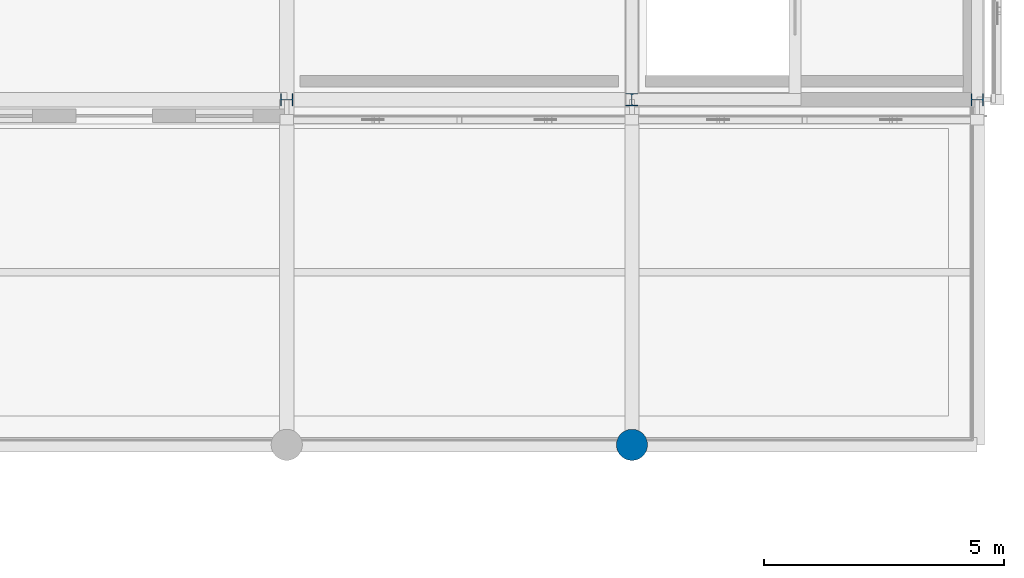
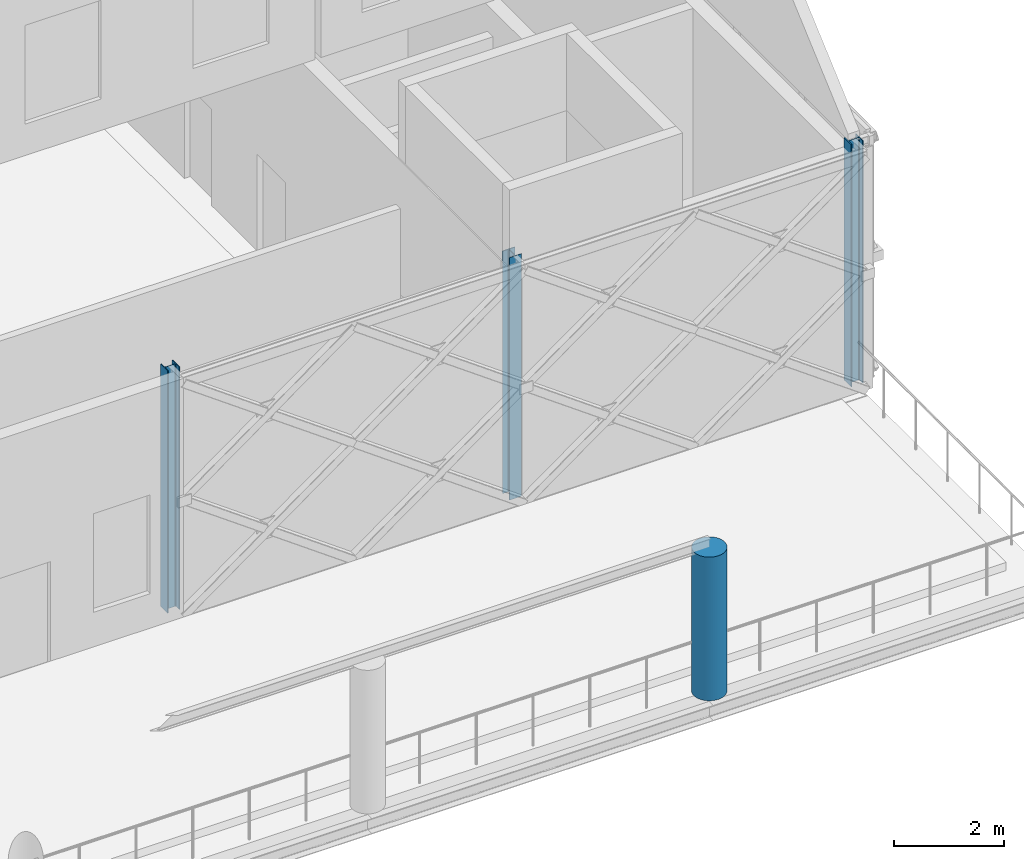
# One storey, part 2 of 31: 4 columns.
"""IFC4 building model written with IfcOpenShell, lengths in metres."""

from ifc_helpers import new_model, si_unit, direction, frame, origin, origin_2d, place, context, subcontext, project, spatial, circle, i_section, extrude, material, material_profile, profile_set, type_object, element, save


model = new_model("IFC4")

# Units and contexts
model_context = context("Model", 3, precision=1e-05, world=origin(), true_north=direction((0.0, 1.0)))
body_context = subcontext(model_context, "Body", "Model", "MODEL_VIEW")
ifc_project = project(units=[si_unit("LENGTHUNIT", "METRE"), si_unit("AREAUNIT", "SQUARE_METRE"), si_unit("VOLUMEUNIT", "CUBIC_METRE"), si_unit("PLANEANGLEUNIT", "RADIAN"), si_unit("MASSUNIT", "GRAM", prefix="KILO")], contexts=[model_context])

# Site, building, storey
site_placement = place(None, origin())
site = spatial("IfcSite", under=ifc_project, at=site_placement, CompositionType="ELEMENT")
building_placement = place(site_placement, origin())
building = spatial("IfcBuilding", under=site, at=building_placement, Name="Zlatovets Crest Museum", CompositionType="ELEMENT")
storey_placement = place(building_placement, frame((0.0, 0.0, 25.199951171875)))
storey = spatial("IfcBuildingStorey", under=building, at=storey_placement, Name="L05", CompositionType="ELEMENT", Elevation=25.199951171875)

# Columns
ifc_material_1 = material(Name="Structural steel S355J2", Category="steel")
ifc_material_profile_1 = material_profile(ifc_material_1, i_section(OverallWidth=0.260009765625, OverallDepth=0.260009765625, WebThickness=0.010009765625, FlangeThickness=0.017578125, FilletRadius=0.02392578125, at=origin_2d()), Name="HEB 260")
ifc_profile_set_1 = profile_set([ifc_material_profile_1], Name="Structural steel S355J2")
column_type_1 = type_object("IfcColumnType", Name="Col_C-10", PredefinedType="COLUMN", material=ifc_profile_set_1)
for number, where, z_axis, x_axis, name in (
    (1, (93.60009765625, 93.60009765625, 0.0), (0.0, 0.0, 1.0), (0.0, 1.0, 0.0), "V1 L05 Column (93.6, 93.6)"),
    (2, (100.800048828125, 93.60009765625, 0.0), (0.0, 0.0, 1.0), (1.0, 0.0, 0.0), "V1 L05 Column (100.8, 93.6)"),
    (3, (108.0, 93.60009765625, 0.0), (0.0, 0.0, 1.0), (0.0, 1.0, 0.0), "V1 L05 Column (108.0, 93.6)"),
):
    element("IfcColumn", number, at=place(storey_placement, frame(where, z_axis=z_axis, x_axis=x_axis)), inside=storey, type_object=column_type_1, Name=name, PredefinedType="COLUMN", context=body_context, shape_type="SweptSolid", body=[
        extrude(i_section(OverallWidth=0.260009765625, OverallDepth=0.260009765625, WebThickness=0.010009765625, FlangeThickness=0.017578125, FilletRadius=0.02392578125, at=origin_2d()), origin(), (0.0, 0.0, 1.0), 5.400146484375),
    ])
ifc_material_2 = material(Name="Concrete C35/45", Category="concrete")
ifc_material_profile_2 = material_profile(ifc_material_2, circle(Radius=0.324951171875, at=origin_2d()), Name="RC D650")
ifc_profile_set_2 = profile_set([ifc_material_profile_2], Name="Concrete C35/45")
column_type_2 = type_object("IfcColumnType", Name="Col_C-22", PredefinedType="COLUMN", material=ifc_profile_set_2)
column_placement = place(storey_placement, frame((100.800048828125, 86.39990234375, 0.0), z_axis=(0.0, 0.0, 1.0), x_axis=(1.0, 0.0, 0.0)))
element("IfcColumn", 4, at=column_placement, inside=storey, type_object=column_type_2, Name="L05 Belvedere Terrace Colonnade Pier (100.8, 86.4)", PredefinedType="COLUMN", context=body_context, shape_type="SweptSolid", body=[
    extrude(circle(Radius=0.324951171875, at=origin_2d()), origin(), (0.0, 0.0, 1.0), 3.199951171875),
])

save(model, "model.ifc")
